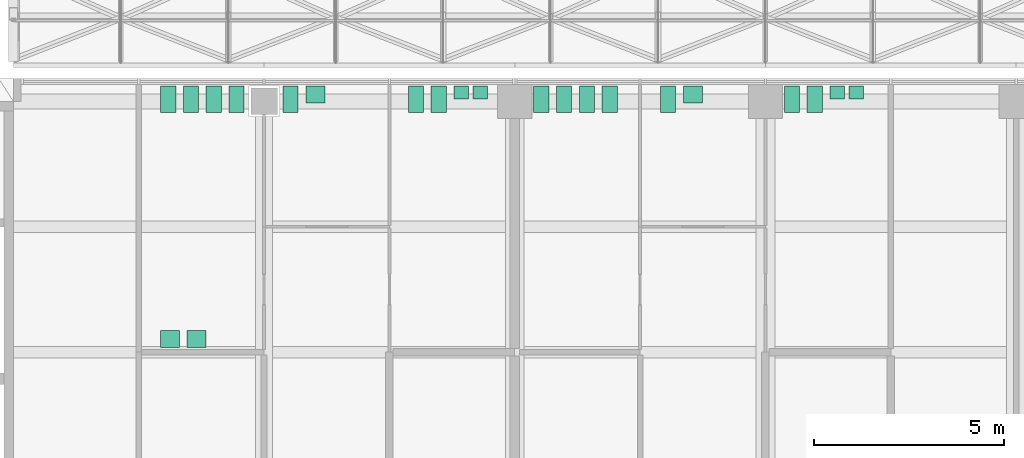
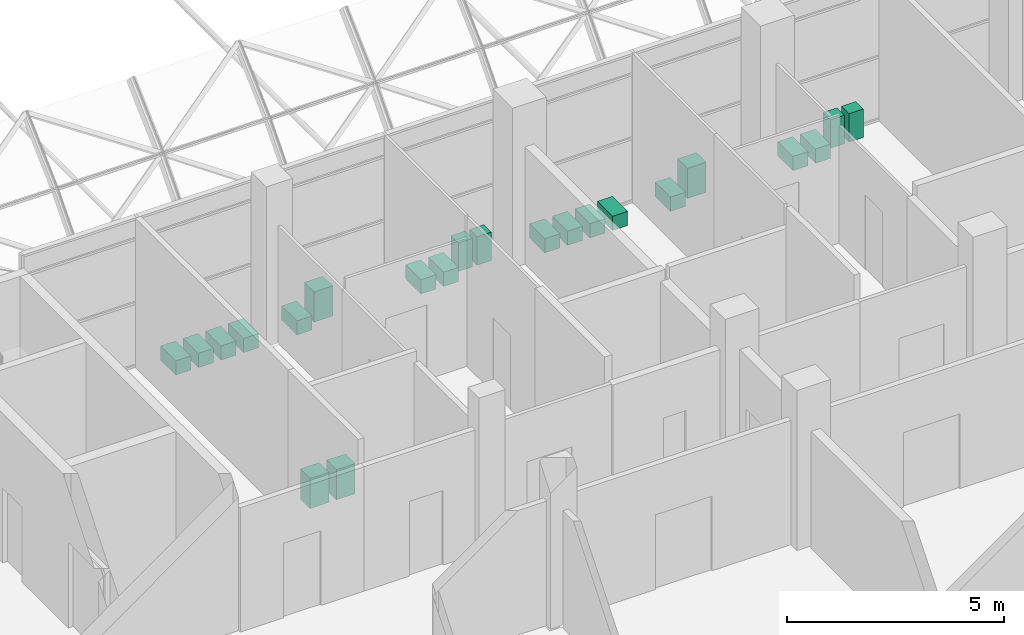
# One storey, part 109 of 109: 22 sanitary terminals.
"""IFC4 building model written with IfcOpenShell, lengths in metres."""

from ifc_helpers import new_model, si_unit, direction, frame, origin, origin_2d, place, context, subcontext, project, spatial, rectangle, extrude, element, save


model = new_model("IFC4")

# Units and contexts
model_context = context("Model", 3, precision=1e-05, world=origin(), true_north=direction((0.0, 1.0)))
body_context = subcontext(model_context, "Body", "Model", "MODEL_VIEW")
ifc_project = project(units=[si_unit("LENGTHUNIT", "METRE"), si_unit("AREAUNIT", "SQUARE_METRE"), si_unit("VOLUMEUNIT", "CUBIC_METRE"), si_unit("PLANEANGLEUNIT", "RADIAN"), si_unit("MASSUNIT", "GRAM", prefix="KILO")], contexts=[model_context])

# Site, building, storey
site_placement = place(None, origin())
site = spatial("IfcSite", under=ifc_project, at=site_placement, CompositionType="ELEMENT")
building_placement = place(site_placement, origin())
building = spatial("IfcBuilding", under=site, at=building_placement, Name="Lantern Court Research Institute", CompositionType="ELEMENT")
storey_placement = place(building_placement, frame((0.0, 0.0, 14.39990234375)))
storey = spatial("IfcBuildingStorey", under=building, at=storey_placement, Name="L03", CompositionType="ELEMENT", Elevation=14.39990234375)

# Sanitary terminals
for number, where, z_axis, x_axis, name in (
    (1, (43.675048828125, 23.159912109375, 0.000244140625), (0.0, 0.0, 1.0), (1.0, 0.0, 0.0), "WC pan W3.09"),
    (2, (44.27490234375, 23.159912109375, 0.000244140625), (0.0, 0.0, 1.0), (1.0, 0.0, 0.0), "WC pan W3.09"),
    (3, (44.875, 23.159912109375, 0.000244140625), (0.0, 0.0, 1.0), (1.0, 0.0, 0.0), "WC pan W3.09"),
    (4, (45.47509765625, 23.159912109375, 0.000244140625), (0.0, 0.0, 1.0), (1.0, 0.0, 0.0), "WC pan W3.09"),
):
    element("IfcSanitaryTerminal", number, at=place(storey_placement, frame(where, z_axis=z_axis, x_axis=x_axis)), inside=storey, Name=name, PredefinedType="TOILETPAN", context=body_context, shape_type="SweptSolid", body=[
        extrude(rectangle(XDim=0.39990234375, YDim=0.699951171875, at=origin_2d()), origin(), (0.0, 0.0, 1.0), 0.39990234375),
    ])
for number, where, z_axis, x_axis, name in (
    (5, (43.72509765625, 16.840087890625, 0.0), (0.0, 0.0, 1.0), (1.0, 0.0, 0.0), "Wash basin W3.09"),
    (6, (44.425048828125, 16.840087890625, 0.0), (0.0, 0.0, 1.0), (1.0, 0.0, 0.0), "Wash basin W3.09"),
):
    element("IfcSanitaryTerminal", number, at=place(storey_placement, frame(where, z_axis=z_axis, x_axis=x_axis)), inside=storey, Name=name, PredefinedType="WASHHANDBASIN", context=body_context, shape_type="SweptSolid", body=[
        extrude(rectangle(XDim=0.5, YDim=0.449951171875, at=origin_2d()), origin(), (0.0, 0.0, 1.0), 0.85009765625),
    ])
sanitary_terminal_1_placement = place(storey_placement, frame((46.89990234375, 23.159912109375, 0.000244140625), z_axis=(0.0, 0.0, 1.0), x_axis=(1.0, 0.0, 0.0)))
element("IfcSanitaryTerminal", 7, at=sanitary_terminal_1_placement, inside=storey, Name="WC pan W3.11", PredefinedType="TOILETPAN", context=body_context, shape_type="SweptSolid", body=[
    extrude(rectangle(XDim=0.39990234375, YDim=0.699951171875, at=origin_2d()), origin(), (0.0, 0.0, 1.0), 0.39990234375),
])
sanitary_terminal_2_placement = place(storey_placement, frame((47.550048828125, 23.284912109375, 0.0), z_axis=(0.0, 0.0, 1.0), x_axis=(1.0, 0.0, 0.0)))
element("IfcSanitaryTerminal", 8, at=sanitary_terminal_2_placement, inside=storey, Name="Wash basin W3.11", PredefinedType="WASHHANDBASIN", context=body_context, shape_type="SweptSolid", body=[
    extrude(rectangle(XDim=0.5, YDim=0.449951171875, at=origin_2d()), origin(), (0.0, 0.0, 1.0), 0.85009765625),
])
for number, where, z_axis, x_axis, name in (
    (9, (50.199951171875, 23.159912109375, 0.000244140625), (0.0, 0.0, 1.0), (1.0, 0.0, 0.0), "WC pan W3.13"),
    (10, (50.800048828125, 23.159912109375, 0.000244140625), (0.0, 0.0, 1.0), (1.0, 0.0, 0.0), "WC pan W3.13"),
):
    element("IfcSanitaryTerminal", number, at=place(storey_placement, frame(where, z_axis=z_axis, x_axis=x_axis)), inside=storey, Name=name, PredefinedType="TOILETPAN", context=body_context, shape_type="SweptSolid", body=[
        extrude(rectangle(XDim=0.39990234375, YDim=0.699951171875, at=origin_2d()), origin(), (0.0, 0.0, 1.0), 0.39990234375),
    ])
for number, where, z_axis, x_axis, name in (
    (11, (51.389892578125, 23.3349609375, 0.0), (0.0, 0.0, 1.0), (1.0, 0.0, 0.0), "Urinal W3.13"),
    (12, (51.889892578125, 23.3349609375, 0.0), (0.0, 0.0, 1.0), (1.0, 0.0, 0.0), "Urinal W3.13"),
):
    element("IfcSanitaryTerminal", number, at=place(storey_placement, frame(where, z_axis=z_axis, x_axis=x_axis)), inside=storey, Name=name, PredefinedType="URINAL", context=body_context, shape_type="SweptSolid", body=[
        extrude(rectangle(XDim=0.3798828125, YDim=0.35009765625, at=origin_2d()), origin(), (0.0, 0.0, 1.0), 0.800048828125),
    ])
for number, where, z_axis, x_axis, name in (
    (13, (53.5, 23.159912109375, 0.000244140625), (0.0, 0.0, 1.0), (1.0, 0.0, 0.0), "WC pan T3.03"),
    (14, (54.10009765625, 23.159912109375, 0.000244140625), (0.0, 0.0, 1.0), (1.0, 0.0, 0.0), "WC pan T3.03"),
    (15, (54.699951171875, 23.159912109375, 0.000244140625), (0.0, 0.0, 1.0), (1.0, 0.0, 0.0), "WC pan T3.03"),
    (16, (55.300048828125, 23.159912109375, 0.000244140625), (0.0, 0.0, 1.0), (1.0, 0.0, 0.0), "WC pan T3.03"),
    (17, (56.83740234375, 23.159912109375, 0.000244140625), (0.0, 0.0, 1.0), (1.0, 0.0, 0.0), "WC pan T3.05"),
):
    element("IfcSanitaryTerminal", number, at=place(storey_placement, frame(where, z_axis=z_axis, x_axis=x_axis)), inside=storey, Name=name, PredefinedType="TOILETPAN", context=body_context, shape_type="SweptSolid", body=[
        extrude(rectangle(XDim=0.39990234375, YDim=0.699951171875, at=origin_2d()), origin(), (0.0, 0.0, 1.0), 0.39990234375),
    ])
sanitary_terminal_3_placement = place(storey_placement, frame((57.487548828125, 23.284912109375, 0.0), z_axis=(0.0, 0.0, 1.0), x_axis=(1.0, 0.0, 0.0)))
element("IfcSanitaryTerminal", 18, at=sanitary_terminal_3_placement, inside=storey, Name="Wash basin T3.05", PredefinedType="WASHHANDBASIN", context=body_context, shape_type="SweptSolid", body=[
    extrude(rectangle(XDim=0.5, YDim=0.449951171875, at=origin_2d()), origin(), (0.0, 0.0, 1.0), 0.85009765625),
])
for number, where, z_axis, x_axis, name in (
    (19, (60.10009765625, 23.159912109375, 0.000244140625), (0.0, 0.0, 1.0), (1.0, 0.0, 0.0), "WC pan T3.07"),
    (20, (60.699951171875, 23.159912109375, 0.000244140625), (0.0, 0.0, 1.0), (1.0, 0.0, 0.0), "WC pan T3.07"),
):
    element("IfcSanitaryTerminal", number, at=place(storey_placement, frame(where, z_axis=z_axis, x_axis=x_axis)), inside=storey, Name=name, PredefinedType="TOILETPAN", context=body_context, shape_type="SweptSolid", body=[
        extrude(rectangle(XDim=0.39990234375, YDim=0.699951171875, at=origin_2d()), origin(), (0.0, 0.0, 1.0), 0.39990234375),
    ])
for number, where, z_axis, x_axis, name in (
    (21, (61.2900390625, 23.3349609375, 0.0), (0.0, 0.0, 1.0), (1.0, 0.0, 0.0), "Urinal T3.07"),
    (22, (61.7900390625, 23.3349609375, 0.0), (0.0, 0.0, 1.0), (1.0, 0.0, 0.0), "Urinal T3.07"),
):
    element("IfcSanitaryTerminal", number, at=place(storey_placement, frame(where, z_axis=z_axis, x_axis=x_axis)), inside=storey, Name=name, PredefinedType="URINAL", context=body_context, shape_type="SweptSolid", body=[
        extrude(rectangle(XDim=0.3798828125, YDim=0.35009765625, at=origin_2d()), origin(), (0.0, 0.0, 1.0), 0.800048828125),
    ])

save(model, "model.ifc")
